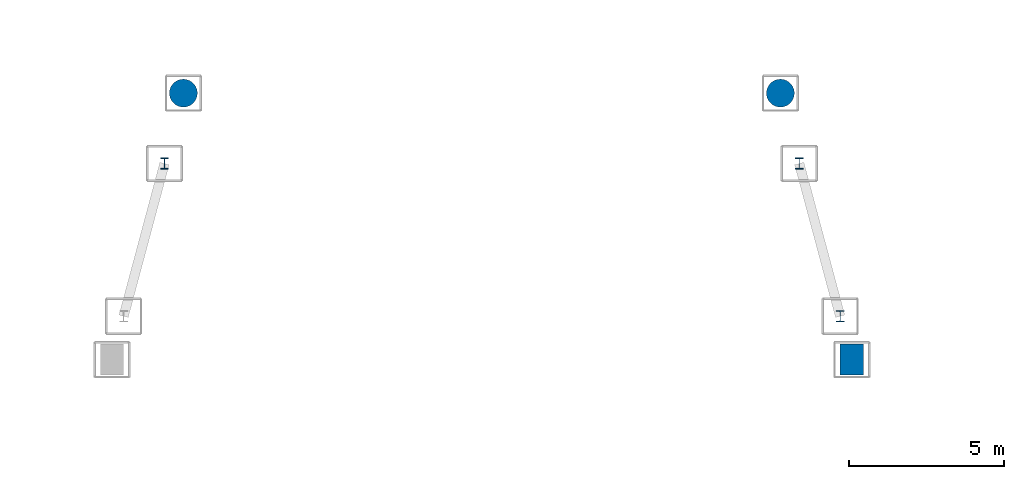
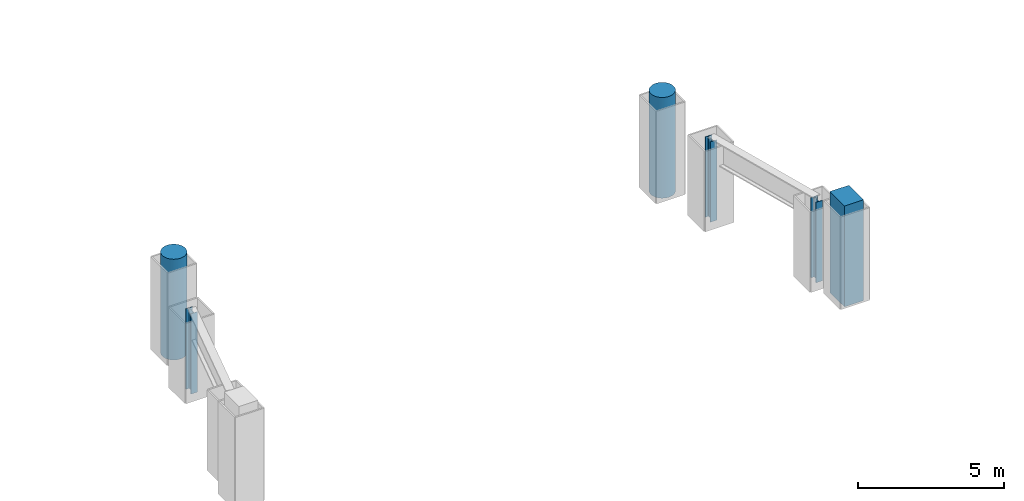
# One storey, part 5 of 128: 6 columns.
"""IFC4 building model written with IfcOpenShell, lengths in metres."""

from ifc_helpers import new_model, si_unit, direction, frame, origin, origin_2d, place, context, subcontext, project, spatial, rectangle, circle, i_section, extrude, material, material_profile, profile_set, type_object, element, save


model = new_model("IFC4")

# Units and contexts
model_context = context("Model", 3, precision=1e-05, world=origin(), true_north=direction((0.0, 1.0)))
body_context = subcontext(model_context, "Body", "Model", "MODEL_VIEW")
ifc_project = project(units=[si_unit("LENGTHUNIT", "METRE"), si_unit("AREAUNIT", "SQUARE_METRE"), si_unit("VOLUMEUNIT", "CUBIC_METRE"), si_unit("PLANEANGLEUNIT", "RADIAN"), si_unit("MASSUNIT", "GRAM", prefix="KILO")], contexts=[model_context])

# Site, building, storey
site_placement = place(None, origin())
site = spatial("IfcSite", under=ifc_project, at=site_placement, CompositionType="ELEMENT")
building_placement = place(site_placement, origin())
building = spatial("IfcBuilding", under=site, at=building_placement, Name="Vespera Passage Community Centre", CompositionType="ELEMENT")
storey_placement = place(building_placement, frame((0.0, 0.0, 4.5)))
storey = spatial("IfcBuildingStorey", under=building, at=storey_placement, Name="L01", CompositionType="ELEMENT", Elevation=4.5)

# Columns
ifc_material_1 = material(Name="Concrete f'c 45 MPa", Category="concrete")
ifc_material_profile_1 = material_profile(ifc_material_1, rectangle(XDim=0.75, YDim=1.0, at=origin_2d()), Name="RC1000X750")
ifc_profile_set_1 = profile_set([ifc_material_profile_1], Name="Concrete f'c 45 MPa")
column_type_1 = type_object("IfcColumnType", Name="COL-RC1000X750E", PredefinedType="COLUMN", material=ifc_profile_set_1)
column_placement = place(storey_placement, frame((89.931640625, 20.970703125, 0.0), z_axis=(0.0, 0.0, 1.0), x_axis=(1.0, 0.0, 0.0)))
element("IfcColumn", 1, at=column_placement, inside=storey, type_object=column_type_1, Name="L01 Column V4-O19", PredefinedType="COLUMN", context=body_context, shape_type="SweptSolid", body=[
    extrude(rectangle(XDim=0.75, YDim=1.0, at=origin_2d()), origin(), (0.0, 0.0, 1.0), 4.199951171875),
])
ifc_material_2 = material(Name="Concrete f'c 45 MPa", Category="concrete")
ifc_material_profile_2 = material_profile(ifc_material_2, circle(Radius=0.449951171875, at=origin_2d()), Name="RC900DIA")
ifc_profile_set_2 = profile_set([ifc_material_profile_2], Name="Concrete f'c 45 MPa")
column_type_2 = type_object("IfcColumnType", Name="COL-RC900DIAE", PredefinedType="COLUMN", material=ifc_profile_set_2)
for number, where, z_axis, x_axis, name in (
    (2, (68.371826171875, 29.567626953125, 0.0), (0.0, 0.0, 1.0), (1.0, 0.0, 0.0), "L01 Column V4-I17"),
    (3, (87.628173828125, 29.567626953125, 0.0), (0.0, 0.0, 1.0), (1.0, 0.0, 0.0), "L01 Column V4-I19"),
):
    element("IfcColumn", number, at=place(storey_placement, frame(where, z_axis=z_axis, x_axis=x_axis)), inside=storey, type_object=column_type_2, Name=name, PredefinedType="COLUMN", context=body_context, shape_type="SweptSolid", body=[
        extrude(circle(Radius=0.449951171875, at=origin_2d()), origin(), (0.0, 0.0, 1.0), 4.199951171875),
    ])
ifc_material_3 = material(Name="Steel ASTM A992 Grade 50", Category="steel")
ifc_material_profile_3 = material_profile(ifc_material_3, i_section(OverallWidth=0.2548828125, OverallDepth=0.356689453125, WebThickness=0.010498046875, FlangeThickness=0.018310546875, FilletRadius=0.01513671875, at=origin_2d()), Name="W14X68")
ifc_profile_set_3 = profile_set([ifc_material_profile_3], Name="Steel ASTM A992 Grade 50")
column_type_3 = type_object("IfcColumnType", Name="COL-W14X68I", PredefinedType="COLUMN", material=ifc_profile_set_3)
for number, where, z_axis, x_axis, name in (
    (4, (67.763671875, 27.297607421875, 0.0), (0.0, 0.0, 1.0), (1.0, 0.0, 0.0), "L01 Column TRANC-I170"),
    (5, (88.236328125, 27.297607421875, 0.0), (0.0, 0.0, 1.0), (1.0, 0.0, 0.0), "L01 Column TRANC-I190"),
    (6, (89.556396484375, 22.371337890625, 0.0), (0.0, 0.0, 1.0), (1.0, 0.0, 0.0), "L01 Column TRANC-O190"),
):
    element("IfcColumn", number, at=place(storey_placement, frame(where, z_axis=z_axis, x_axis=x_axis)), inside=storey, type_object=column_type_3, Name=name, PredefinedType="COLUMN", context=body_context, shape_type="SweptSolid", body=[
        extrude(i_section(OverallWidth=0.2548828125, OverallDepth=0.356689453125, WebThickness=0.010498046875, FlangeThickness=0.018310546875, FilletRadius=0.01513671875, at=origin_2d()), origin(), (0.0, 0.0, 1.0), 3.35009765625),
    ])

save(model, "model.ifc")
